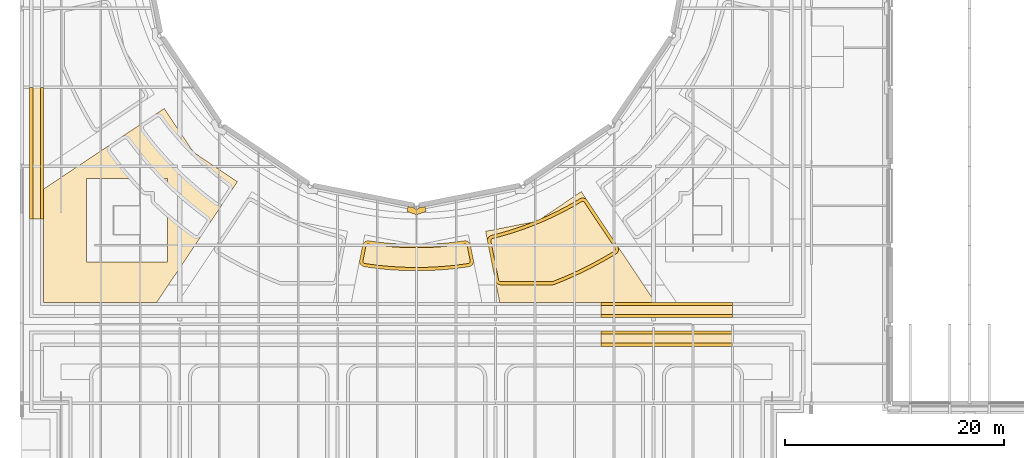
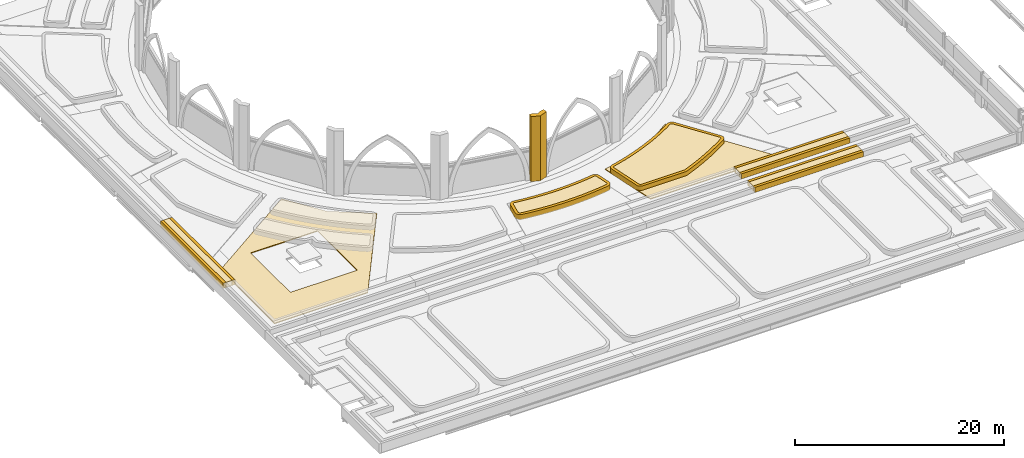
# One storey, part 84 of 110: 16 coverings.
"""IFC4 building model written with IfcOpenShell, lengths in metres."""

from ifc_helpers import new_model, si_unit, direction, frame, origin, place, context, subcontext, project, spatial, polyline, outline, extrude, material, layer, layer_set, type_object, element, save


model = new_model("IFC4")

# Units and contexts
model_context = context("Model", 3, precision=1e-05, world=origin(), true_north=direction((0.0, 1.0)))
body_context = subcontext(model_context, "Body", "Model", "MODEL_VIEW")
ifc_project = project(units=[si_unit("LENGTHUNIT", "METRE"), si_unit("AREAUNIT", "SQUARE_METRE"), si_unit("VOLUMEUNIT", "CUBIC_METRE"), si_unit("PLANEANGLEUNIT", "RADIAN"), si_unit("MASSUNIT", "GRAM", prefix="KILO")], contexts=[model_context])

# Site, building, storey
site_placement = place(None, origin())
site = spatial("IfcSite", under=ifc_project, at=site_placement, CompositionType="ELEMENT")
building_placement = place(site_placement, origin())
building = spatial("IfcBuilding", under=site, at=building_placement, Name="Kupolbacken Congress Centre", CompositionType="ELEMENT")
storey_placement = place(building_placement, frame((0.0, 0.0, 18.0)))
storey = spatial("IfcBuildingStorey", under=building, at=storey_placement, Name="L05", CompositionType="ELEMENT", Elevation=18.0)

# Coverings
ifc_material_1 = material(Name="Limestone cladding", Category="masonry")
ifc_layer_1 = layer(ifc_material_1, 0.60009765625)
ifc_layer_set_1 = layer_set([ifc_layer_1], Name="Limestone cladding")
covering_type_1 = type_object("IfcCoveringType", Name="CV5 limestone arcade pier 600", PredefinedType="CLADDING", material=ifc_layer_set_1)
covering_1_placement = place(storey_placement, origin())
element("IfcCovering", 1, at=covering_1_placement, inside=storey, type_object=covering_type_1, Name="Bed kerb, plenary wing roof", PredefinedType="CLADDING", context=body_context, shape_type="SweptSolid", body=[
    extrude(outline(polyline([(9.202392578125, 60.0), (8.902587890625, 60.0), (8.902587890625, 72.0), (9.202392578125, 72.0), (9.202392578125, 60.0)])), origin(), (0.0, 0.0, 1.0), 0.60009765625),
])
covering_2_placement = place(storey_placement, origin())
element("IfcCovering", 2, at=covering_2_placement, inside=storey, type_object=covering_type_1, Name="Bed kerb, plenary wing roof", PredefinedType="CLADDING", context=body_context, shape_type="SweptSolid", body=[
    extrude(outline(polyline([(7.929931640625, 72.0), (8.22998046875, 72.0), (8.22998046875, 60.0), (7.929931640625, 60.0), (7.929931640625, 72.0)])), origin(), (0.0, 0.0, 1.0), 0.60009765625),
])
covering_3_placement = place(storey_placement, origin())
element("IfcCovering", 3, at=covering_3_placement, inside=storey, type_object=covering_type_1, Name="Bed kerb, plenary wing roof", PredefinedType="CLADDING", context=body_context, shape_type="SweptSolid", body=[
    extrude(outline(polyline([(72.0, 52.402587890625), (72.0, 52.1025390625), (60.0, 52.1025390625), (60.0, 52.402587890625), (72.0, 52.402587890625)])), origin(), (0.0, 0.0, 1.0), 0.60009765625),
])
covering_4_placement = place(storey_placement, origin())
element("IfcCovering", 4, at=covering_4_placement, inside=storey, type_object=covering_type_1, Name="Bed kerb, plenary wing roof", PredefinedType="CLADDING", context=body_context, shape_type="SweptSolid", body=[
    extrude(outline(polyline([(60.0, 51.00244140625), (60.0, 51.302490234375), (72.0, 51.302490234375), (72.0, 51.00244140625), (60.0, 51.00244140625)])), origin(), (0.0, 0.0, 1.0), 0.60009765625),
])
covering_5_placement = place(storey_placement, origin())
element("IfcCovering", 5, at=covering_5_placement, inside=storey, type_object=covering_type_1, Name="Bed kerb, plenary wing roof", PredefinedType="CLADDING", context=body_context, shape_type="SweptSolid", body=[
    extrude(outline(polyline([(38.989013671875, 57.990478515625), (39.681396484375, 57.896484375), (39.6875, 57.895751953125), (40.3818359375, 57.81884765625), (40.387939453125, 57.818115234375), (41.084228515625, 57.75830078125), (41.09033203125, 57.7578125), (41.78759765625, 57.715087890625), (41.7939453125, 57.714599609375), (42.4921875, 57.68896484375), (42.498291015625, 57.688720703125), (43.197021484375, 57.68017578125), (43.203125, 57.68017578125), (43.90185546875, 57.688720703125), (43.907958984375, 57.68896484375), (44.606201171875, 57.714599609375), (44.6123046875, 57.715087890625), (45.309814453125, 57.7578125), (45.31591796875, 57.75830078125), (46.011962890625, 57.818115234375), (46.01806640625, 57.81884765625), (46.712646484375, 57.895751953125), (46.71875, 57.896484375), (47.410888671875, 57.990478515625), (47.4169921875, 57.991455078125), (47.53955078125, 58.01123046875), (47.587158203125, 58.0166015625), (47.635009765625, 58.017333984375), (47.682861328125, 58.013427734375), (47.72998046875, 58.005126953125), (47.776123046875, 57.9921875), (47.82080078125, 57.97509765625), (47.86376953125, 57.95361328125), (47.904296875, 57.927978515625), (47.9423828125, 57.89892578125), (47.977294921875, 57.8662109375), (48.009033203125, 57.830322265625), (48.037109375, 57.79150390625), (48.0615234375, 57.750244140625), (48.081787109375, 57.706787109375), (48.097900390625, 57.66162109375), (48.109375, 57.614990234375), (48.382568359375, 56.2412109375), (48.389892578125, 56.191650390625), (48.39208984375, 56.141357421875), (48.389404296875, 56.09130859375), (48.381591796875, 56.041748046875), (48.368896484375, 55.9931640625), (48.3515625, 55.946044921875), (48.329345703125, 55.90087890625), (48.302734375, 55.8583984375), (48.272216796875, 55.818603515625), (48.237548828125, 55.781982421875), (48.199462890625, 55.749267578125), (48.158447265625, 55.720458984375), (48.114501953125, 55.69580078125), (48.068603515625, 55.67578125), (48.020751953125, 55.660400390625), (47.9716796875, 55.650146484375), (47.772216796875, 55.617919921875), (47.760009765625, 55.6162109375), (47.015380859375, 55.51513671875), (47.00341796875, 55.513671875), (46.25634765625, 55.4306640625), (46.244140625, 55.429443359375), (45.495361328125, 55.364990234375), (45.483154296875, 55.364013671875), (44.733154296875, 55.318115234375), (44.720703125, 55.3173828125), (43.969970703125, 55.289794921875), (43.95751953125, 55.28955078125), (43.2060546875, 55.2802734375), (43.19384765625, 55.2802734375), (42.4423828125, 55.28955078125), (42.43017578125, 55.289794921875), (41.67919921875, 55.3173828125), (41.6669921875, 55.318115234375), (40.916748046875, 55.364013671875), (40.904541015625, 55.364990234375), (40.15576171875, 55.429443359375), (40.1435546875, 55.4306640625), (39.396728515625, 55.513671875), (39.384521484375, 55.51513671875), (38.639892578125, 55.6162109375), (38.627685546875, 55.617919921875), (38.428466796875, 55.650146484375), (38.379150390625, 55.660400390625), (38.331298828125, 55.67578125), (38.285400390625, 55.69580078125), (38.24169921875, 55.720458984375), (38.200439453125, 55.749267578125), (38.16259765625, 55.781982421875), (38.1279296875, 55.818603515625), (38.09716796875, 55.8583984375), (38.07080078125, 55.90087890625), (38.048583984375, 55.946044921875), (38.031005859375, 55.9931640625), (38.018310546875, 56.041748046875), (38.010498046875, 56.09130859375), (38.0078125, 56.141357421875), (38.010009765625, 56.191650390625), (38.017333984375, 56.2412109375), (38.29052734375, 57.614990234375), (38.30224609375, 57.66162109375), (38.318115234375, 57.706787109375), (38.33837890625, 57.750244140625), (38.36279296875, 57.79150390625), (38.390869140625, 57.830322265625), (38.422607421875, 57.8662109375), (38.457763671875, 57.89892578125), (38.49560546875, 57.927978515625), (38.536376953125, 57.95361328125), (38.5791015625, 57.97509765625), (38.623779296875, 57.9921875), (38.669921875, 58.005126953125), (38.71728515625, 58.013427734375), (38.764892578125, 58.017333984375), (38.812744140625, 58.0166015625), (38.860595703125, 58.01123046875), (38.98291015625, 57.991455078125), (38.989013671875, 57.990478515625)]), holes=[polyline([(38.81982421875, 57.7138671875), (38.793701171875, 57.716796875), (38.774658203125, 57.717041015625), (38.755615234375, 57.715576171875), (38.73681640625, 57.71240234375), (38.71826171875, 57.70703125), (38.700439453125, 57.7001953125), (38.683349609375, 57.691650390625), (38.6669921875, 57.681396484375), (38.65185546875, 57.669921875), (38.637939453125, 57.65673828125), (38.625244140625, 57.642578125), (38.614013671875, 57.626953125), (38.604248046875, 57.610595703125), (38.59619140625, 57.593017578125), (38.58984375, 57.5751953125), (38.58349609375, 57.549560546875), (38.31298828125, 56.190185546875), (38.30908203125, 56.162841796875), (38.30810546875, 56.142822265625), (38.309326171875, 56.122802734375), (38.3125, 56.10302734375), (38.3173828125, 56.08349609375), (38.324462890625, 56.064697265625), (38.333251953125, 56.046875), (38.343994140625, 56.02978515625), (38.356201171875, 56.013916015625), (38.369873046875, 55.99951171875), (38.385009765625, 55.986328125), (38.401611328125, 55.974853515625), (38.4189453125, 55.96484375), (38.4375, 55.956787109375), (38.45654296875, 55.95068359375), (38.4833984375, 55.945068359375), (38.673583984375, 55.91455078125), (38.68212890625, 55.9130859375), (39.423095703125, 55.8125), (39.431640625, 55.8115234375), (40.1748046875, 55.72900390625), (40.183349609375, 55.728271484375), (40.928466796875, 55.6640625), (40.93701171875, 55.66357421875), (41.68359375, 55.61767578125), (41.69189453125, 55.6171875), (42.439453125, 55.589599609375), (42.447998046875, 55.589599609375), (43.19580078125, 55.580322265625), (43.204345703125, 55.580322265625), (43.9521484375, 55.589599609375), (43.960693359375, 55.589599609375), (44.7080078125, 55.6171875), (44.716552734375, 55.61767578125), (45.462890625, 55.66357421875), (45.471435546875, 55.6640625), (46.216552734375, 55.728271484375), (46.22509765625, 55.72900390625), (46.968505859375, 55.8115234375), (46.976806640625, 55.8125), (47.718017578125, 55.9130859375), (47.726318359375, 55.91455078125), (47.91650390625, 55.945068359375), (47.943603515625, 55.95068359375), (47.962646484375, 55.956787109375), (47.98095703125, 55.96484375), (47.99853515625, 55.974853515625), (48.014892578125, 55.986328125), (48.030029296875, 55.99951171875), (48.0439453125, 56.013916015625), (48.05615234375, 56.02978515625), (48.066650390625, 56.046875), (48.07568359375, 56.064697265625), (48.08251953125, 56.08349609375), (48.087646484375, 56.10302734375), (48.0908203125, 56.122802734375), (48.091796875, 56.142822265625), (48.0908203125, 56.162841796875), (48.0869140625, 56.190185546875), (47.81640625, 57.549560546875), (47.810302734375, 57.5751953125), (47.8037109375, 57.593017578125), (47.795654296875, 57.610595703125), (47.785888671875, 57.626953125), (47.774658203125, 57.642578125), (47.76220703125, 57.65673828125), (47.748046875, 57.669921875), (47.73291015625, 57.681396484375), (47.716796875, 57.691650390625), (47.69970703125, 57.7001953125), (47.681640625, 57.70703125), (47.663330078125, 57.71240234375), (47.64453125, 57.715576171875), (47.62548828125, 57.717041015625), (47.606201171875, 57.716796875), (47.580078125, 57.7138671875), (47.462890625, 57.695068359375), (47.453125, 57.693603515625), (46.757080078125, 57.59912109375), (46.74755859375, 57.597900390625), (46.04931640625, 57.5205078125), (46.03955078125, 57.51953125), (45.339599609375, 57.459228515625), (45.329833984375, 57.45849609375), (44.62890625, 57.415283203125), (44.618896484375, 57.4150390625), (43.9169921875, 57.38916015625), (43.9072265625, 57.388916015625), (43.204833984375, 57.380126953125), (43.195068359375, 57.380126953125), (42.49267578125, 57.388916015625), (42.48291015625, 57.38916015625), (41.781005859375, 57.4150390625), (41.771240234375, 57.415283203125), (41.070068359375, 57.45849609375), (41.060302734375, 57.459228515625), (40.360595703125, 57.51953125), (40.3505859375, 57.5205078125), (39.652587890625, 57.597900390625), (39.642822265625, 57.59912109375), (38.94677734375, 57.693603515625), (38.93701171875, 57.695068359375), (38.81982421875, 57.7138671875)])]), origin(), (0.0, 0.0, 1.0), 0.60009765625),
])
covering_6_placement = place(storey_placement, origin())
element("IfcCovering", 6, at=covering_6_placement, inside=storey, type_object=covering_type_1, Name="Bed kerb, plenary wing roof", PredefinedType="CLADDING", context=body_context, shape_type="SweptSolid", body=[
    extrude(outline(polyline([(55.7294921875, 54.022705078125), (55.683349609375, 54.011474609375), (55.63623046875, 54.0048828125), (55.5888671875, 54.00244140625), (50.86962890625, 54.00244140625), (50.820556640625, 54.0048828125), (50.77197265625, 54.01220703125), (50.724365234375, 54.02392578125), (50.67822265625, 54.04052734375), (50.6337890625, 54.0615234375), (50.591796875, 54.0869140625), (50.552490234375, 54.115966796875), (50.51611328125, 54.14892578125), (50.48291015625, 54.185302734375), (50.453857421875, 54.224609375), (50.4287109375, 54.266845703125), (50.40771484375, 54.311279296875), (50.39111328125, 54.357421875), (50.379150390625, 54.405029296875), (49.6787109375, 57.92724609375), (49.67138671875, 57.974609375), (49.6689453125, 58.0224609375), (49.671142578125, 58.0703125), (49.677734375, 58.117919921875), (49.68896484375, 58.164306640625), (49.70458984375, 58.209716796875), (49.724365234375, 58.25341796875), (49.748291015625, 58.294921875), (49.77587890625, 58.333984375), (49.807373046875, 58.3701171875), (49.842041015625, 58.403076171875), (49.8798828125, 58.4326171875), (49.920166015625, 58.45849609375), (49.962890625, 58.480224609375), (50.00732421875, 58.498046875), (50.053466796875, 58.51123046875), (50.17529296875, 58.540283203125), (50.181396484375, 58.541748046875), (50.85693359375, 58.7197265625), (50.86279296875, 58.721435546875), (51.533935546875, 58.916015625), (51.539794921875, 58.917724609375), (52.2060546875, 59.12890625), (52.2119140625, 59.130615234375), (52.87255859375, 59.35791015625), (52.87841796875, 59.360107421875), (53.533203125, 59.603515625), (53.5390625, 59.605712890625), (54.187744140625, 59.865234375), (54.193359375, 59.86767578125), (54.835693359375, 60.142822265625), (54.84130859375, 60.1455078125), (55.4765625, 60.436279296875), (55.482177734375, 60.43896484375), (56.110107421875, 60.745361328125), (56.115478515625, 60.748291015625), (56.735595703125, 61.070068359375), (56.7412109375, 61.072998046875), (57.353271484375, 61.409912109375), (57.358642578125, 61.412841796875), (57.96240234375, 61.7646484375), (57.967529296875, 61.767822265625), (58.072998046875, 61.8330078125), (58.114990234375, 61.85595703125), (58.158935546875, 61.875), (58.20458984375, 61.889892578125), (58.25146484375, 61.900146484375), (58.299072265625, 61.906005859375), (58.346923828125, 61.906982421875), (58.394775390625, 61.90380859375), (58.44189453125, 61.895751953125), (58.48828125, 61.88330078125), (58.533203125, 61.866455078125), (58.576171875, 61.845458984375), (58.616943359375, 61.8203125), (58.6552734375, 61.79150390625), (58.690673828125, 61.759033203125), (58.72265625, 61.723388671875), (58.751220703125, 61.68505859375), (61.530517578125, 57.525146484375), (61.556396484375, 57.48193359375), (61.57763671875, 57.4365234375), (61.59423828125, 57.38916015625), (61.606201171875, 57.34033203125), (61.61279296875, 57.29052734375), (61.61474609375, 57.240478515625), (61.611572265625, 57.190185546875), (61.603271484375, 57.140869140625), (61.590087890625, 57.09228515625), (61.572265625, 57.04541015625), (61.5498046875, 57.00048828125), (61.522705078125, 56.958251953125), (61.49169921875, 56.918701171875), (61.456787109375, 56.882568359375), (61.41845703125, 56.85009765625), (61.377197265625, 56.82177734375), (61.0546875, 56.623046875), (61.044189453125, 56.61669921875), (60.318603515625, 56.19384765625), (60.30810546875, 56.187744140625), (59.572265625, 55.78271484375), (59.561279296875, 55.777099609375), (58.81591796875, 55.390380859375), (58.804931640625, 55.384765625), (58.050048828125, 55.016357421875), (58.0390625, 55.010986328125), (57.275390625, 54.661376953125), (57.264404296875, 54.656494140625), (56.4921875, 54.325439453125), (56.48095703125, 54.32080078125), (55.7744140625, 54.0380859375), (55.7294921875, 54.022705078125)]), holes=[polyline([(56.367919921875, 54.5986328125), (56.375732421875, 54.60205078125), (57.144287109375, 54.931396484375), (57.152099609375, 54.934814453125), (57.912353515625, 55.283203125), (57.920166015625, 55.286865234375), (58.671630859375, 55.653564453125), (58.67919921875, 55.657470703125), (59.421630859375, 56.04248046875), (59.42919921875, 56.04638671875), (60.16162109375, 56.44970703125), (60.169189453125, 56.4541015625), (60.8916015625, 56.875), (60.89892578125, 56.87939453125), (61.21337890625, 57.072998046875), (61.236083984375, 57.0888671875), (61.251220703125, 57.101806640625), (61.265380859375, 57.1162109375), (61.277587890625, 57.1318359375), (61.288330078125, 57.148681640625), (61.29736328125, 57.166748046875), (61.3046875, 57.185546875), (61.309814453125, 57.204833984375), (61.31298828125, 57.224609375), (61.314453125, 57.24462890625), (61.313720703125, 57.2646484375), (61.310791015625, 57.284423828125), (61.30615234375, 57.303955078125), (61.299560546875, 57.322998046875), (61.291015625, 57.341064453125), (61.27685546875, 57.36474609375), (58.505615234375, 61.51220703125), (58.489990234375, 61.533447265625), (58.477294921875, 61.547607421875), (58.463134765625, 61.560546875), (58.447998046875, 61.572265625), (58.431396484375, 61.582275390625), (58.414306640625, 61.590576171875), (58.396484375, 61.597412109375), (58.3779296875, 61.602294921875), (58.359130859375, 61.60546875), (58.340087890625, 61.606689453125), (58.32080078125, 61.606201171875), (58.302001953125, 61.60400390625), (58.283203125, 61.599853515625), (58.264892578125, 61.593994140625), (58.247314453125, 61.58642578125), (58.224365234375, 61.57373046875), (58.123291015625, 61.511474609375), (58.114990234375, 61.50634765625), (57.508056640625, 61.152587890625), (57.49951171875, 61.14794921875), (56.884033203125, 60.80908203125), (56.87548828125, 60.804443359375), (56.251953125, 60.481201171875), (56.2431640625, 60.4765625), (55.612060546875, 60.16845703125), (55.60302734375, 60.164306640625), (54.964599609375, 59.871826171875), (54.95556640625, 59.867919921875), (54.309814453125, 59.591064453125), (54.30078125, 59.58740234375), (53.648681640625, 59.326416015625), (53.639404296875, 59.322998046875), (52.981201171875, 59.078369140625), (52.9716796875, 59.074951171875), (52.3076171875, 58.846435546875), (52.29833984375, 58.843505859375), (51.628662109375, 58.631103515625), (51.619384765625, 58.62841796875), (50.944580078125, 58.432861328125), (50.935302734375, 58.43017578125), (50.256103515625, 58.251220703125), (50.24658203125, 58.248779296875), (50.1298828125, 58.220947265625), (50.1044921875, 58.213623046875), (50.086669921875, 58.206787109375), (50.069580078125, 58.197998046875), (50.053466796875, 58.187744140625), (50.03857421875, 58.17578125), (50.024658203125, 58.16259765625), (50.01220703125, 58.148193359375), (50.0009765625, 58.132568359375), (49.991455078125, 58.115966796875), (49.9833984375, 58.0986328125), (49.977294921875, 58.08056640625), (49.972900390625, 58.06201171875), (49.97021484375, 58.04296875), (49.969482421875, 58.02392578125), (49.970458984375, 58.0048828125), (49.974365234375, 57.978759765625), (50.672119140625, 54.470703125), (50.678466796875, 54.444580078125), (50.68505859375, 54.426025390625), (50.693603515625, 54.408447265625), (50.70361328125, 54.3916015625), (50.715087890625, 54.3759765625), (50.728515625, 54.361328125), (50.742919921875, 54.34814453125), (50.758544921875, 54.33642578125), (50.775390625, 54.326416015625), (50.793212890625, 54.318115234375), (50.8115234375, 54.3115234375), (50.83056640625, 54.306640625), (50.85009765625, 54.3037109375), (50.876953125, 54.302490234375), (55.58154296875, 54.302490234375), (55.607666015625, 54.3037109375), (55.62646484375, 54.306396484375), (55.64501953125, 54.310791015625), (55.669677734375, 54.3193359375), (56.367919921875, 54.5986328125)])]), origin(), (0.0, 0.0, 1.0), 0.60009765625),
])
covering_7_placement = place(storey_placement, origin())
element("IfcCovering", 7, at=covering_7_placement, inside=storey, type_object=covering_type_1, Name="Bed kerb, roof garden", PredefinedType="CLADDING", context=body_context, shape_type="SweptSolid", body=[
    extrude(outline(polyline([(72.0, 49.797607421875), (72.0, 49.49755859375), (60.0, 49.49755859375), (60.0, 49.797607421875), (72.0, 49.797607421875)])), origin(), (0.0, 0.0, 1.0), 0.60009765625),
])
covering_8_placement = place(storey_placement, origin())
element("IfcCovering", 8, at=covering_8_placement, inside=storey, type_object=covering_type_1, Name="Bed kerb, roof garden", PredefinedType="CLADDING", context=body_context, shape_type="SweptSolid", body=[
    extrude(outline(polyline([(72.0, 48.697509765625), (72.0, 48.3974609375), (60.0, 48.3974609375), (60.0, 48.697509765625), (72.0, 48.697509765625)])), origin(), (0.0, 0.0, 1.0), 0.60009765625),
])
ifc_material_2 = material(Name="Limestone cladding", Category="masonry")
ifc_layer_2 = layer(ifc_material_2, 0.5)
ifc_layer_set_2 = layer_set([ifc_layer_2], Name="Limestone cladding")
covering_type_2 = type_object("IfcCoveringType", Name="CV8 limestone drum pier 500", PredefinedType="CLADDING", material=ifc_layer_set_2)
covering_9_placement = place(storey_placement, origin())
element("IfcCovering", 9, at=covering_9_placement, inside=storey, type_object=covering_type_2, Name="F/drum/pier-lo/03/0", PredefinedType="CLADDING", context=body_context, shape_type="SweptSolid", body=[
    extrude(outline(polyline([(42.334716796875, 60.6875), (43.199951171875, 60.378173828125), (44.065185546875, 60.6875), (43.978271484375, 61.129150390625), (43.48779296875, 61.032470703125), (43.199951171875, 60.848388671875), (42.912109375, 61.032470703125), (42.421630859375, 61.129150390625), (42.334716796875, 60.6875)])), origin(), (0.0, 0.0, 1.0), 7.60009765625),
])
ifc_material_3 = material(Name="Grass", Category="soil")
ifc_layer_3 = layer(ifc_material_3, 0.10009765625)
ifc_layer_set_3 = layer_set([ifc_layer_3], Name="Grass")
covering_type_3 = type_object("IfcCoveringType", Name="GR2 grass surface 100", PredefinedType="FLOORING", material=ifc_layer_set_3)
covering_10_placement = place(storey_placement, origin())
element("IfcCovering", 10, at=covering_10_placement, inside=storey, type_object=covering_type_3, Name="Green roof, plenary wing roof", PredefinedType="FLOORING", context=body_context, shape_type="SweptSolid", body=[
    extrude(outline(polyline([(19.521240234375, 52.400390625), (9.200439453125, 52.400390625), (9.200439453125, 62.72119140625), (20.189453125, 70.0634765625), (22.878662109375, 66.07861328125), (26.86328125, 63.389404296875), (19.521240234375, 52.400390625)]), holes=[polyline([(13.099609375, 63.700439453125), (13.099609375, 56.099609375), (20.50048828125, 56.099609375), (20.50048828125, 63.700439453125), (13.099609375, 63.700439453125)])]), origin(), (0.0, 0.0, 1.0), 0.10009765625),
])
covering_11_placement = place(storey_placement, origin())
element("IfcCovering", 11, at=covering_11_placement, inside=storey, type_object=covering_type_3, Name="Green roof, plenary wing roof", PredefinedType="FLOORING", context=body_context, shape_type="SweptSolid", body=[
    extrude(outline(polyline([(64.95458984375, 52.400390625), (50.77783203125, 52.400390625), (49.490966796875, 58.870849609375), (54.22119140625, 59.80224609375), (58.210205078125, 62.494384765625), (64.95458984375, 52.400390625)])), origin(), (0.0, 0.0, 1.0), 0.10009765625),
])
ifc_material_4 = material(Name="Planting substrate", Category="soil")
ifc_layer_4 = layer(ifc_material_4, 0.60009765625)
ifc_layer_set_4 = layer_set([ifc_layer_4], Name="Planting substrate")
covering_type_4 = type_object("IfcCoveringType", Name="GR8 planting substrate 600", PredefinedType="FLOORING", material=ifc_layer_set_4)
covering_12_placement = place(storey_placement, origin())
element("IfcCovering", 12, at=covering_12_placement, inside=storey, type_object=covering_type_4, Name="Planting bed, plenary wing roof", PredefinedType="FLOORING", context=body_context, shape_type="SweptSolid", body=[
    extrude(outline(polyline([(8.22998046875, 72.0), (8.902587890625, 72.0), (8.902587890625, 60.0), (8.22998046875, 60.0), (8.22998046875, 72.0)])), origin(), (0.0, 0.0, 1.0), 0.60009765625),
])
covering_13_placement = place(storey_placement, origin())
element("IfcCovering", 13, at=covering_13_placement, inside=storey, type_object=covering_type_4, Name="Planting bed, plenary wing roof", PredefinedType="FLOORING", context=body_context, shape_type="SweptSolid", body=[
    extrude(outline(polyline([(72.0, 52.1025390625), (72.0, 51.302490234375), (60.0, 51.302490234375), (60.0, 52.1025390625), (72.0, 52.1025390625)])), origin(), (0.0, 0.0, 1.0), 0.60009765625),
])
covering_14_placement = place(storey_placement, origin())
element("IfcCovering", 14, at=covering_14_placement, inside=storey, type_object=covering_type_4, Name="Planting bed, plenary wing roof", PredefinedType="FLOORING", context=body_context, shape_type="SweptSolid", body=[
    extrude(outline(polyline([(38.93701171875, 57.695068359375), (38.94677734375, 57.693603515625), (39.642822265625, 57.59912109375), (39.652587890625, 57.597900390625), (40.3505859375, 57.5205078125), (40.360595703125, 57.51953125), (41.060302734375, 57.459228515625), (41.070068359375, 57.45849609375), (41.771240234375, 57.415283203125), (41.781005859375, 57.4150390625), (42.48291015625, 57.38916015625), (42.49267578125, 57.388916015625), (43.195068359375, 57.380126953125), (43.204833984375, 57.380126953125), (43.9072265625, 57.388916015625), (43.9169921875, 57.38916015625), (44.618896484375, 57.4150390625), (44.62890625, 57.415283203125), (45.329833984375, 57.45849609375), (45.339599609375, 57.459228515625), (46.03955078125, 57.51953125), (46.04931640625, 57.5205078125), (46.74755859375, 57.597900390625), (46.757080078125, 57.59912109375), (47.453125, 57.693603515625), (47.462890625, 57.695068359375), (47.580078125, 57.7138671875), (47.606201171875, 57.716796875), (47.62548828125, 57.717041015625), (47.64453125, 57.715576171875), (47.663330078125, 57.71240234375), (47.681640625, 57.70703125), (47.69970703125, 57.7001953125), (47.716796875, 57.691650390625), (47.73291015625, 57.681396484375), (47.748046875, 57.669921875), (47.76220703125, 57.65673828125), (47.774658203125, 57.642578125), (47.785888671875, 57.626953125), (47.795654296875, 57.610595703125), (47.8037109375, 57.593017578125), (47.810302734375, 57.5751953125), (47.81640625, 57.549560546875), (48.0869140625, 56.190185546875), (48.0908203125, 56.162841796875), (48.091796875, 56.142822265625), (48.0908203125, 56.122802734375), (48.087646484375, 56.10302734375), (48.08251953125, 56.08349609375), (48.07568359375, 56.064697265625), (48.066650390625, 56.046875), (48.05615234375, 56.02978515625), (48.0439453125, 56.013916015625), (48.030029296875, 55.99951171875), (48.014892578125, 55.986328125), (47.99853515625, 55.974853515625), (47.98095703125, 55.96484375), (47.962646484375, 55.956787109375), (47.943603515625, 55.95068359375), (47.91650390625, 55.945068359375), (47.726318359375, 55.91455078125), (47.718017578125, 55.9130859375), (46.976806640625, 55.8125), (46.968505859375, 55.8115234375), (46.22509765625, 55.72900390625), (46.216552734375, 55.728271484375), (45.471435546875, 55.6640625), (45.462890625, 55.66357421875), (44.716552734375, 55.61767578125), (44.7080078125, 55.6171875), (43.960693359375, 55.589599609375), (43.9521484375, 55.589599609375), (43.204345703125, 55.580322265625), (43.19580078125, 55.580322265625), (42.447998046875, 55.589599609375), (42.439453125, 55.589599609375), (41.69189453125, 55.6171875), (41.68359375, 55.61767578125), (40.93701171875, 55.66357421875), (40.928466796875, 55.6640625), (40.183349609375, 55.728271484375), (40.1748046875, 55.72900390625), (39.431640625, 55.8115234375), (39.423095703125, 55.8125), (38.68212890625, 55.9130859375), (38.673583984375, 55.91455078125), (38.4833984375, 55.945068359375), (38.45654296875, 55.95068359375), (38.4375, 55.956787109375), (38.4189453125, 55.96484375), (38.401611328125, 55.974853515625), (38.385009765625, 55.986328125), (38.369873046875, 55.99951171875), (38.356201171875, 56.013916015625), (38.343994140625, 56.02978515625), (38.333251953125, 56.046875), (38.324462890625, 56.064697265625), (38.3173828125, 56.08349609375), (38.3125, 56.10302734375), (38.309326171875, 56.122802734375), (38.30810546875, 56.142822265625), (38.30908203125, 56.162841796875), (38.31298828125, 56.190185546875), (38.58349609375, 57.549560546875), (38.58984375, 57.5751953125), (38.59619140625, 57.593017578125), (38.604248046875, 57.610595703125), (38.614013671875, 57.626953125), (38.625244140625, 57.642578125), (38.637939453125, 57.65673828125), (38.65185546875, 57.669921875), (38.6669921875, 57.681396484375), (38.683349609375, 57.691650390625), (38.700439453125, 57.7001953125), (38.71826171875, 57.70703125), (38.73681640625, 57.71240234375), (38.755615234375, 57.715576171875), (38.774658203125, 57.717041015625), (38.793701171875, 57.716796875), (38.81982421875, 57.7138671875), (38.93701171875, 57.695068359375)])), origin(), (0.0, 0.0, 1.0), 0.60009765625),
])
covering_15_placement = place(storey_placement, origin())
element("IfcCovering", 15, at=covering_15_placement, inside=storey, type_object=covering_type_4, Name="Planting bed, plenary wing roof", PredefinedType="FLOORING", context=body_context, shape_type="SweptSolid", body=[
    extrude(outline(polyline([(55.669677734375, 54.3193359375), (55.64501953125, 54.310791015625), (55.62646484375, 54.306396484375), (55.607666015625, 54.3037109375), (55.58154296875, 54.302490234375), (50.876953125, 54.302490234375), (50.85009765625, 54.3037109375), (50.83056640625, 54.306640625), (50.8115234375, 54.3115234375), (50.793212890625, 54.318115234375), (50.775390625, 54.326416015625), (50.758544921875, 54.33642578125), (50.742919921875, 54.34814453125), (50.728515625, 54.361328125), (50.715087890625, 54.3759765625), (50.70361328125, 54.3916015625), (50.693603515625, 54.408447265625), (50.68505859375, 54.426025390625), (50.678466796875, 54.444580078125), (50.672119140625, 54.470703125), (49.974365234375, 57.978759765625), (49.970458984375, 58.0048828125), (49.969482421875, 58.02392578125), (49.97021484375, 58.04296875), (49.972900390625, 58.06201171875), (49.977294921875, 58.08056640625), (49.9833984375, 58.0986328125), (49.991455078125, 58.115966796875), (50.0009765625, 58.132568359375), (50.01220703125, 58.148193359375), (50.024658203125, 58.16259765625), (50.03857421875, 58.17578125), (50.053466796875, 58.187744140625), (50.069580078125, 58.197998046875), (50.086669921875, 58.206787109375), (50.1044921875, 58.213623046875), (50.1298828125, 58.220947265625), (50.24658203125, 58.248779296875), (50.256103515625, 58.251220703125), (50.935302734375, 58.43017578125), (50.944580078125, 58.432861328125), (51.619384765625, 58.62841796875), (51.628662109375, 58.631103515625), (52.29833984375, 58.843505859375), (52.3076171875, 58.846435546875), (52.9716796875, 59.074951171875), (52.981201171875, 59.078369140625), (53.639404296875, 59.322998046875), (53.648681640625, 59.326416015625), (54.30078125, 59.58740234375), (54.309814453125, 59.591064453125), (54.95556640625, 59.867919921875), (54.964599609375, 59.871826171875), (55.60302734375, 60.164306640625), (55.612060546875, 60.16845703125), (56.2431640625, 60.4765625), (56.251953125, 60.481201171875), (56.87548828125, 60.804443359375), (56.884033203125, 60.80908203125), (57.49951171875, 61.14794921875), (57.508056640625, 61.152587890625), (58.114990234375, 61.50634765625), (58.123291015625, 61.511474609375), (58.224365234375, 61.57373046875), (58.247314453125, 61.58642578125), (58.264892578125, 61.593994140625), (58.283203125, 61.599853515625), (58.302001953125, 61.60400390625), (58.32080078125, 61.606201171875), (58.340087890625, 61.606689453125), (58.359130859375, 61.60546875), (58.3779296875, 61.602294921875), (58.396484375, 61.597412109375), (58.414306640625, 61.590576171875), (58.431396484375, 61.582275390625), (58.447998046875, 61.572265625), (58.463134765625, 61.560546875), (58.477294921875, 61.547607421875), (58.489990234375, 61.533447265625), (58.505615234375, 61.51220703125), (61.27685546875, 57.36474609375), (61.291015625, 57.341064453125), (61.299560546875, 57.322998046875), (61.30615234375, 57.303955078125), (61.310791015625, 57.284423828125), (61.313720703125, 57.2646484375), (61.314453125, 57.24462890625), (61.31298828125, 57.224609375), (61.309814453125, 57.204833984375), (61.3046875, 57.185546875), (61.29736328125, 57.166748046875), (61.288330078125, 57.148681640625), (61.277587890625, 57.1318359375), (61.265380859375, 57.1162109375), (61.251220703125, 57.101806640625), (61.236083984375, 57.0888671875), (61.21337890625, 57.072998046875), (60.89892578125, 56.87939453125), (60.8916015625, 56.875), (60.169189453125, 56.4541015625), (60.16162109375, 56.44970703125), (59.42919921875, 56.04638671875), (59.421630859375, 56.04248046875), (58.67919921875, 55.657470703125), (58.671630859375, 55.653564453125), (57.920166015625, 55.286865234375), (57.912353515625, 55.283203125), (57.152099609375, 54.934814453125), (57.144287109375, 54.931396484375), (56.375732421875, 54.60205078125), (56.367919921875, 54.5986328125), (55.669677734375, 54.3193359375)])), origin(), (0.0, 0.0, 1.0), 0.60009765625),
])
covering_16_placement = place(storey_placement, origin())
element("IfcCovering", 16, at=covering_16_placement, inside=storey, type_object=covering_type_4, Name="Planting bed, roof garden", PredefinedType="FLOORING", context=body_context, shape_type="SweptSolid", body=[
    extrude(outline(polyline([(72.0, 49.49755859375), (72.0, 48.697509765625), (60.0, 48.697509765625), (60.0, 49.49755859375), (72.0, 49.49755859375)])), origin(), (0.0, 0.0, 1.0), 0.60009765625),
])

save(model, "model.ifc")
